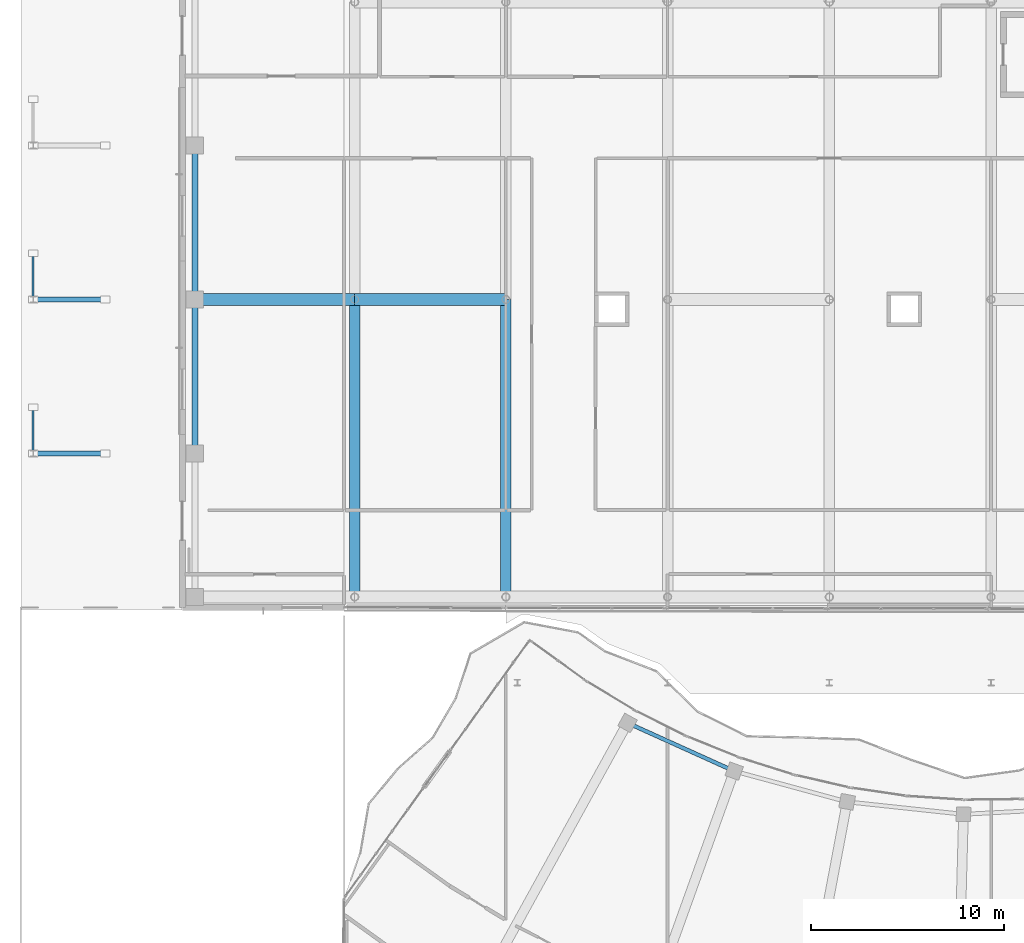
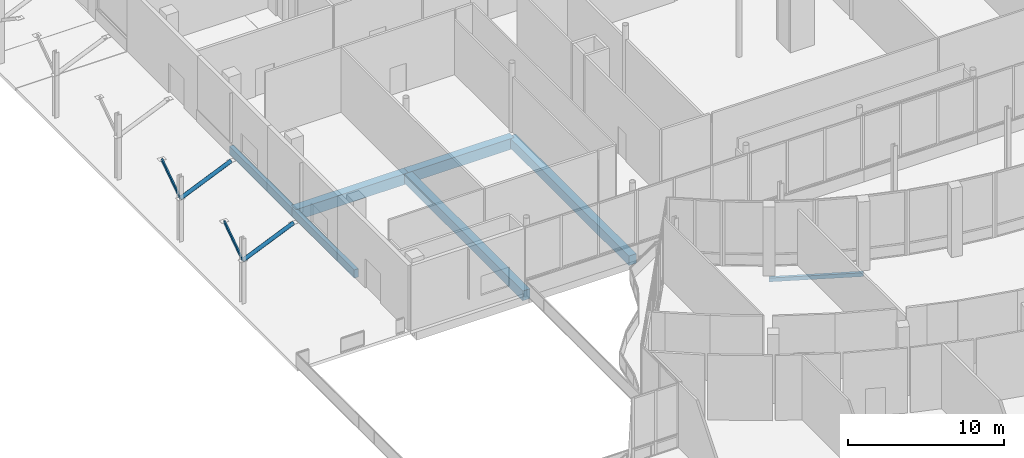
# One storey, part 33 of 158: 7 beams, 4 members.
"""IFC4 building model written with IfcOpenShell, lengths in metres."""

from ifc_helpers import new_model, si_unit, direction, frame, origin, origin_2d, place, context, subcontext, project, spatial, rectangle, hollow_rectangle, hollow_circle, extrude, material, material_profile, profile_set, type_object, element, save


model = new_model("IFC4")

# Units and contexts
model_context = context("Model", 3, precision=1e-05, world=origin(), true_north=direction((0.0, 1.0)))
body_context = subcontext(model_context, "Body", "Model", "MODEL_VIEW")
ifc_project = project(units=[si_unit("LENGTHUNIT", "METRE"), si_unit("AREAUNIT", "SQUARE_METRE"), si_unit("VOLUMEUNIT", "CUBIC_METRE"), si_unit("PLANEANGLEUNIT", "RADIAN"), si_unit("MASSUNIT", "GRAM", prefix="KILO")], contexts=[model_context])

# Site, building, storey
site_placement = place(None, origin())
site = spatial("IfcSite", under=ifc_project, at=site_placement, CompositionType="ELEMENT")
building_placement = place(site_placement, origin())
building = spatial("IfcBuilding", under=site, at=building_placement, Name="Selatvlak General Hospital", CompositionType="ELEMENT")
storey_placement = place(building_placement, origin())
storey = spatial("IfcBuildingStorey", under=building, at=storey_placement, Name="L00", CompositionType="ELEMENT", Elevation=0.0)

# Beams
ifc_material_1 = material(Name="Concrete C40/50", Category="concrete")
ifc_material_profile_1 = material_profile(ifc_material_1, rectangle(XDim=0.60009765625, YDim=0.85009765625, at=origin_2d()), Name="RC-BM 600x850")
ifc_profile_set_1 = profile_set([ifc_material_profile_1], Name="Concrete C40/50")
beam_type_1 = type_object("IfcBeamType", Name="BM-G01", PredefinedType="BEAM", material=ifc_profile_set_1)
beam_1_placement = place(storey_placement, frame((15.050048828125, 68.0, -0.77490234375), z_axis=(1.0, 0.0, 0.0), x_axis=(0.0, 1.0, 0.0)))
element("IfcBeam", 1, at=beam_1_placement, inside=storey, type_object=beam_type_1, Name="Beam BMR-L00-0017", PredefinedType="BEAM", context=body_context, shape_type="SweptSolid", body=[
    extrude(rectangle(XDim=0.60009765625, YDim=0.85009765625, at=origin_2d()), origin(), (0.0, 0.0, 1.0), 8.300048828125),
])
beam_2_placement = place(storey_placement, frame((23.35009765625, 68.0, -0.77490234375), z_axis=(1.0, 0.0, 0.0), x_axis=(0.0, 1.0, 0.0)))
element("IfcBeam", 2, at=beam_2_placement, inside=storey, type_object=beam_type_1, Name="Beam BMR-L00-0018", PredefinedType="BEAM", context=body_context, shape_type="SweptSolid", body=[
    extrude(rectangle(XDim=0.60009765625, YDim=0.85009765625, at=origin_2d()), origin(), (0.0, 0.0, 1.0), 7.849853515625),
])
ifc_material_profile_2 = material_profile(ifc_material_1, rectangle(XDim=0.550048828125, YDim=0.75, at=origin_2d()), Name="RC-BM 550x750")
ifc_profile_set_2 = profile_set([ifc_material_profile_2], Name="Concrete C40/50")
beam_type_2 = type_object("IfcBeamType", Name="BM-G02", PredefinedType="BEAM", material=ifc_profile_set_2)
for number, where, z_axis, x_axis, name in (
    (3, (23.35009765625, 52.550048828125, -0.72509765625), (0.0, 1.0, 0.0), (-1.0, 0.0, 0.0), "Beam BMR-L00-0167"),
    (4, (31.199951171875, 52.550048828125, -0.72509765625), (0.0, 1.0, 0.0), (-1.0, 0.0, 0.0), "Beam BMR-L00-0169"),
):
    element("IfcBeam", number, at=place(storey_placement, frame(where, z_axis=z_axis, x_axis=x_axis)), inside=storey, type_object=beam_type_2, Name=name, PredefinedType="BEAM", context=body_context, shape_type="SweptSolid", body=[
        extrude(rectangle(XDim=0.550048828125, YDim=0.75, at=origin_2d()), origin(), (0.0, 0.0, 1.0), 15.449951171875),
    ])
ifc_material_profile_3 = material_profile(ifc_material_1, rectangle(XDim=0.300048828125, YDim=0.64990234375, at=origin_2d()), Name="RC-SP 300x650")
ifc_profile_set_3 = profile_set([ifc_material_profile_3], Name="Concrete C40/50")
beam_type_3 = type_object("IfcBeamType", Name="BM-SP1", PredefinedType="SPANDREL", material=ifc_profile_set_3)
for number, where, z_axis, x_axis, name in (
    (5, (15.050048828125, 60.0, -0.675048828125), (0.0, 1.0, 0.0), (-1.0, 0.0, 0.0), "Beam BMR-L00-0159"),
    (6, (15.050048828125, 68.0, -0.675048828125), (0.0, 1.0, 0.0), (-1.0, 0.0, 0.0), "Beam BMR-L00-0160"),
):
    element("IfcBeam", number, at=place(storey_placement, frame(where, z_axis=z_axis, x_axis=x_axis)), inside=storey, type_object=beam_type_3, Name=name, PredefinedType="SPANDREL", context=body_context, shape_type="SweptSolid", body=[
        extrude(rectangle(XDim=0.300048828125, YDim=0.64990234375, at=origin_2d()), origin(), (0.0, 0.0, 1.0), 8.0),
    ])
ifc_material_2 = material(Name="Steel S355", Category="steel")
ifc_material_profile_4 = material_profile(ifc_material_2, hollow_rectangle(XDim=0.199951171875, YDim=0.300048828125, WallThickness=0.011962890625, at=origin_2d()), Name="RHS 300x200x12")
ifc_profile_set_4 = profile_set([ifc_material_profile_4], Name="Steel S355")
beam_type_4 = type_object("IfcBeamType", Name="BM-SP3", PredefinedType="SPANDREL", material=ifc_profile_set_4)
beam_3_placement = place(storey_placement, frame((37.52099609375, 46.009033203125, -0.5), z_axis=(0.911255847368, -0.411840722413, 0.0), x_axis=(0.411840722413, 0.911255847368, 0.0)))
element("IfcBeam", 7, at=beam_3_placement, inside=storey, type_object=beam_type_4, Name="Beam BMR-L00-0354", PredefinedType="SPANDREL", context=body_context, shape_type="SweptSolid", body=[
    extrude(hollow_rectangle(XDim=0.199951171875, YDim=0.300048828125, WallThickness=0.011962890625, at=origin_2d()), origin(), (0.0, 0.0, 1.0), 6.077392578125),
])

# Members
ifc_material_profile_5 = material_profile(ifc_material_2, hollow_circle(Radius=0.136474609375, WallThickness=0.010009765625, at=origin_2d()), Name="CHS 273.0x10")
ifc_profile_set_5 = profile_set([ifc_material_profile_5], Name="Steel S355")
member_type_1 = type_object("IfcMemberType", Name="MEM-ST1", PredefinedType="STRUT", material=ifc_profile_set_5)
for number, where, z_axis, x_axis, name in (
    (8, (6.64990234375, 60.0, 3.300048828125), (0.918012909618, 0.0, 0.396550498393), (0.0, 1.0, 0.0), "Ambulance canopy raking steel strut 1A"),
    (9, (6.64990234375, 68.0, 3.300048828125), (0.918012909618, 0.0, 0.396550498393), (0.0, 1.0, 0.0), "Ambulance canopy raking steel strut 2A"),
):
    element("IfcMember", number, at=place(storey_placement, frame(where, z_axis=z_axis, x_axis=x_axis)), inside=storey, type_object=member_type_1, Name=name, PredefinedType="STRUT", context=body_context, shape_type="SweptSolid", body=[
        extrude(hollow_circle(Radius=0.136474609375, WallThickness=0.010009765625, at=origin_2d()), origin(), (0.0, 0.0, 1.0), 4.0849609375),
    ])
ifc_material_profile_6 = material_profile(ifc_material_2, hollow_rectangle(XDim=0.10009765625, YDim=0.199951171875, WallThickness=0.008056640625, at=origin_2d()), Name="RHS 200x100x8")
ifc_profile_set_6 = profile_set([ifc_material_profile_6], Name="Steel S355")
member_type_2 = type_object("IfcMemberType", Name="MEM-ST2", PredefinedType="STRUT", material=ifc_profile_set_6)
for number, where, z_axis, x_axis, name in (
    (10, (6.64990234375, 60.0, 3.300048828125), (0.0, 0.828858449047, 0.559458373289), (-1.0, 0.0, 0.0), "Ambulance canopy longitudinal knee strut 1B"),
    (11, (6.64990234375, 68.0, 3.300048828125), (0.0, 0.828858449047, 0.559458373289), (-1.0, 0.0, 0.0), "Ambulance canopy longitudinal knee strut 2B"),
):
    element("IfcMember", number, at=place(storey_placement, frame(where, z_axis=z_axis, x_axis=x_axis)), inside=storey, type_object=member_type_2, Name=name, PredefinedType="STRUT", context=body_context, shape_type="SweptSolid", body=[
        extrude(hollow_rectangle(XDim=0.10009765625, YDim=0.199951171875, WallThickness=0.008056640625, at=origin_2d()), origin(), (0.0, 0.0, 1.0), 2.8955078125),
    ])

save(model, "model.ifc")
